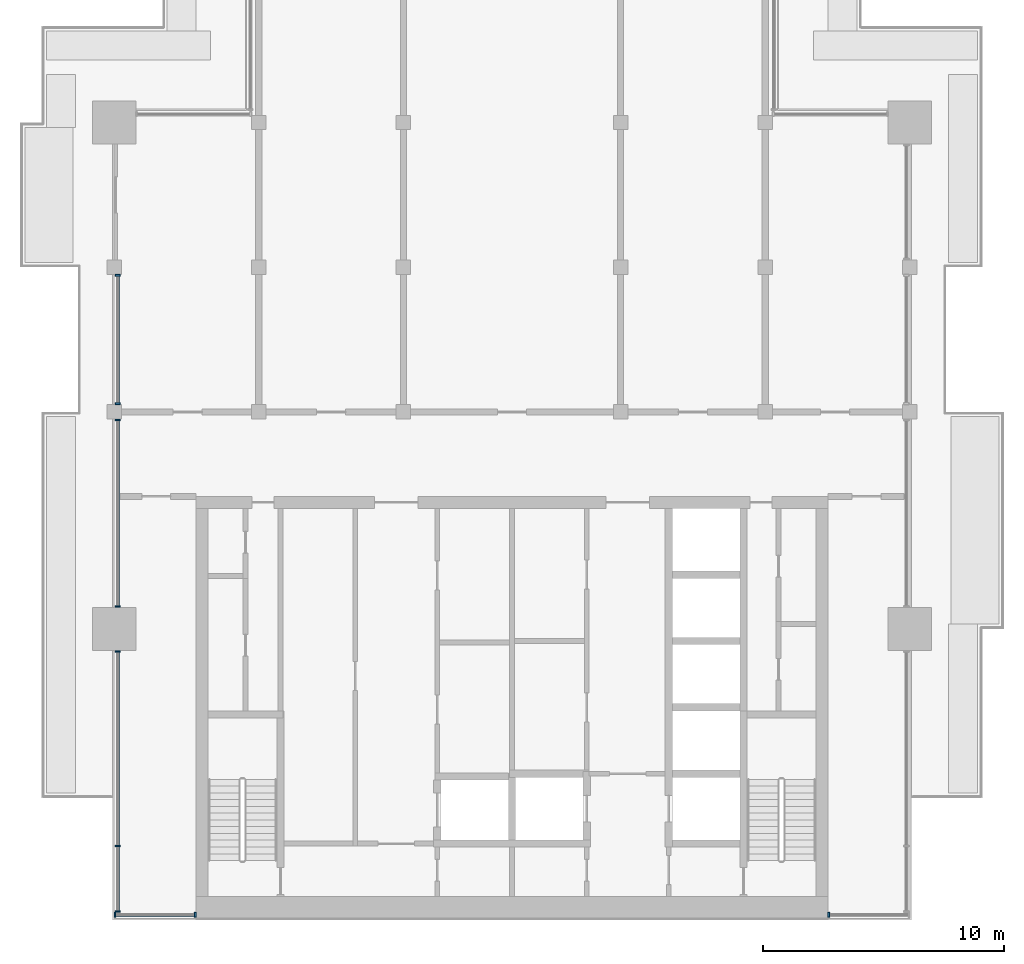
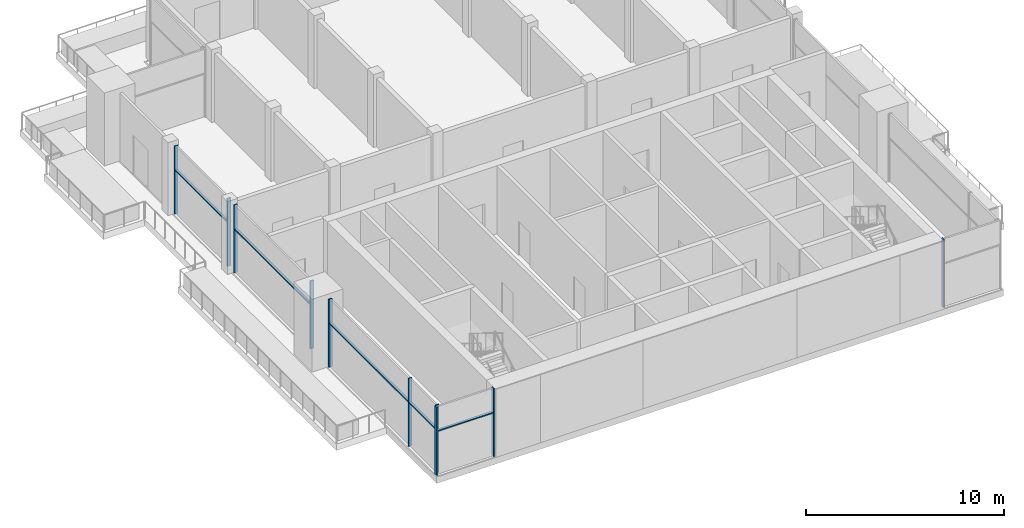
# One storey, part 2 of 9: 15 members, 5 elements without a shape of their own.
"""IFC4 building model written with IfcOpenShell, lengths in metres."""

from ifc_helpers import new_model, si_unit, direction, frame, origin, origin_2d, place, context, subcontext, project, spatial, rectangle, extrude, material, material_profile, profile_set, type_object, element, aggregate, save


model = new_model("IFC4")

# Units and contexts
model_context = context("Model", 3, precision=1e-05, world=origin(), true_north=direction((0.0, 1.0)))
body_context = subcontext(model_context, "Body", "Model", "MODEL_VIEW")
ifc_project = project(units=[si_unit("LENGTHUNIT", "METRE"), si_unit("AREAUNIT", "SQUARE_METRE"), si_unit("VOLUMEUNIT", "CUBIC_METRE"), si_unit("PLANEANGLEUNIT", "RADIAN"), si_unit("MASSUNIT", "GRAM", prefix="KILO")], contexts=[model_context])

# Site, building, storey
site_placement = place(None, origin())
site = spatial("IfcSite", under=ifc_project, at=site_placement, CompositionType="ELEMENT")
building_placement = place(site_placement, origin())
building = spatial("IfcBuilding", under=site, at=building_placement, Name="Finial Court Residences", CompositionType="ELEMENT")
storey_placement = place(building_placement, frame((0.0, 0.0, 298.699951171875)))
storey = spatial("IfcBuildingStorey", under=building, at=storey_placement, Name="L76", CompositionType="ELEMENT", Elevation=298.699951171875)

# Curtain wall, members
ifc_material = material(Name="Bronze anodised aluminium", Category="aluminium")
curtain_wall_type = type_object("IfcCurtainWallType", Name="Crown lantern glazing", PredefinedType="NOTDEFINED", material=ifc_material)
curtain_wall_1_placement = place(storey_placement, origin())
curtain_wall_1 = element("IfcCurtainWall", 1, at=curtain_wall_1_placement, inside=storey, type_object=curtain_wall_type, Name="E-L76-CW-S3", PredefinedType="NOTDEFINED")
ifc_material_profile_1 = material_profile(ifc_material, rectangle(XDim=0.199951171875, YDim=0.070068359375, at=origin_2d()), Name="CW6 mullion 70 x 200")
ifc_profile_set_1 = profile_set([ifc_material_profile_1], Name="Bronze anodised aluminium")
member_type_1 = type_object("IfcMemberType", Name="CW6 mullion 70 x 200", PredefinedType="MULLION", material=ifc_profile_set_1)
member_1_placement = place(storey_placement, frame((-16.465087890625, -25.35009765625, 0.0), z_axis=(0.0, 0.0, 1.0), x_axis=(0.0, 1.0, 0.0)))
member_1 = element("IfcMember", 2, at=member_1_placement, type_object=member_type_1, Name="CW6 mullion 1", PredefinedType="MULLION", context=body_context, shape_type="SweptSolid", body=[
    extrude(rectangle(XDim=0.199951171875, YDim=0.070068359375, at=origin_2d()), origin(), (0.0, 0.0, 1.0), 4.199951171875),
])
member_2_placement = place(storey_placement, frame((-13.135009765625, -25.35009765625, 0.0), z_axis=(0.0, 0.0, 1.0), x_axis=(0.0, 1.0, 0.0)))
member_2 = element("IfcMember", 3, at=member_2_placement, type_object=member_type_1, Name="CW6 mullion 2", PredefinedType="MULLION", context=body_context, shape_type="SweptSolid", body=[
    extrude(rectangle(XDim=0.199951171875, YDim=0.070068359375, at=origin_2d()), origin(), (0.0, 0.0, 1.0), 4.199951171875),
])

# Curtain wall, member
curtain_wall_2_placement = place(storey_placement, origin())
curtain_wall_2 = element("IfcCurtainWall", 4, at=curtain_wall_2_placement, inside=storey, type_object=curtain_wall_type, Name="E-L76-CW-S4", PredefinedType="NOTDEFINED")
member_3_placement = place(storey_placement, frame((13.135009765625, -25.35009765625, 0.0), z_axis=(0.0, 0.0, 1.0), x_axis=(0.0, 1.0, 0.0)))
member_3 = element("IfcMember", 5, at=member_3_placement, type_object=member_type_1, Name="CW6 mullion 1", PredefinedType="MULLION", context=body_context, shape_type="SweptSolid", body=[
    extrude(rectangle(XDim=0.199951171875, YDim=0.070068359375, at=origin_2d()), origin(), (0.0, 0.0, 1.0), 4.199951171875),
])
aggregate(curtain_wall_2, [member_3])

# Curtain wall, members
curtain_wall_3_placement = place(storey_placement, origin())
curtain_wall_3 = element("IfcCurtainWall", 6, at=curtain_wall_3_placement, inside=storey, type_object=curtain_wall_type, Name="E-L76-CW-W5c1", PredefinedType="NOTDEFINED")
member_4_placement = place(storey_placement, frame((-16.35009765625, -25.215087890625, 0.0), z_axis=(0.0, 0.0, 1.0), x_axis=(-1.0, 0.0, 0.0)))
member_4 = element("IfcMember", 7, at=member_4_placement, type_object=member_type_1, Name="CW6 mullion 1", PredefinedType="MULLION", context=body_context, shape_type="SweptSolid", body=[
    extrude(rectangle(XDim=0.199951171875, YDim=0.070068359375, at=origin_2d()), origin(), (0.0, 0.0, 1.0), 4.199951171875),
])
member_5_placement = place(storey_placement, frame((-16.35009765625, -22.5, 0.0), z_axis=(0.0, 0.0, 1.0), x_axis=(-1.0, 0.0, 0.0)))
member_5 = element("IfcMember", 8, at=member_5_placement, type_object=member_type_1, Name="CW6 mullion 2", PredefinedType="MULLION", context=body_context, shape_type="SweptSolid", body=[
    extrude(rectangle(XDim=0.199951171875, YDim=0.070068359375, at=origin_2d()), origin(), (0.0, 0.0, 1.0), 4.199951171875),
])
member_6_placement = place(storey_placement, frame((-16.35009765625, -14.43505859375, 0.0), z_axis=(0.0, 0.0, 1.0), x_axis=(-1.0, 0.0, 0.0)))
member_6 = element("IfcMember", 9, at=member_6_placement, type_object=member_type_1, Name="CW6 mullion 3", PredefinedType="MULLION", context=body_context, shape_type="SweptSolid", body=[
    extrude(rectangle(XDim=0.199951171875, YDim=0.070068359375, at=origin_2d()), origin(), (0.0, 0.0, 1.0), 4.199951171875),
])

curtain_wall_4_placement = place(storey_placement, origin())
curtain_wall_4 = element("IfcCurtainWall", 10, at=curtain_wall_4_placement, inside=storey, type_object=curtain_wall_type, Name="E-L76-CW-W5c2", PredefinedType="NOTDEFINED")
member_7_placement = place(storey_placement, frame((-16.35009765625, -12.56494140625, 0.0), z_axis=(0.0, 0.0, 1.0), x_axis=(-1.0, 0.0, 0.0)))
member_7 = element("IfcMember", 11, at=member_7_placement, type_object=member_type_1, Name="CW6 mullion 1", PredefinedType="MULLION", context=body_context, shape_type="SweptSolid", body=[
    extrude(rectangle(XDim=0.199951171875, YDim=0.070068359375, at=origin_2d()), origin(), (0.0, 0.0, 1.0), 4.199951171875),
])
member_8_placement = place(storey_placement, frame((-16.35009765625, -4.8349609375, 0.0), z_axis=(0.0, 0.0, 1.0), x_axis=(-1.0, 0.0, 0.0)))
member_8 = element("IfcMember", 12, at=member_8_placement, type_object=member_type_1, Name="CW6 mullion 2", PredefinedType="MULLION", context=body_context, shape_type="SweptSolid", body=[
    extrude(rectangle(XDim=0.199951171875, YDim=0.070068359375, at=origin_2d()), origin(), (0.0, 0.0, 1.0), 4.199951171875),
])

curtain_wall_5_placement = place(storey_placement, origin())
curtain_wall_5 = element("IfcCurtainWall", 13, at=curtain_wall_5_placement, inside=storey, type_object=curtain_wall_type, Name="E-L76-CW-W5c3", PredefinedType="NOTDEFINED")
member_9_placement = place(storey_placement, frame((-16.35009765625, -4.1650390625, 0.0), z_axis=(0.0, 0.0, 1.0), x_axis=(-1.0, 0.0, 0.0)))
member_9 = element("IfcMember", 14, at=member_9_placement, type_object=member_type_1, Name="CW6 mullion 1", PredefinedType="MULLION", context=body_context, shape_type="SweptSolid", body=[
    extrude(rectangle(XDim=0.199951171875, YDim=0.070068359375, at=origin_2d()), origin(), (0.0, 0.0, 1.0), 4.199951171875),
])
member_10_placement = place(storey_placement, frame((-16.35009765625, 1.1650390625, 0.0), z_axis=(0.0, 0.0, 1.0), x_axis=(-1.0, 0.0, 0.0)))
member_10 = element("IfcMember", 15, at=member_10_placement, type_object=member_type_1, Name="CW6 mullion 2", PredefinedType="MULLION", context=body_context, shape_type="SweptSolid", body=[
    extrude(rectangle(XDim=0.199951171875, YDim=0.070068359375, at=origin_2d()), origin(), (0.0, 0.0, 1.0), 4.199951171875),
])

# Member
ifc_material_profile_2 = material_profile(ifc_material, rectangle(XDim=0.14990234375, YDim=0.070068359375, at=origin_2d()), Name="CW6 transom 70 x 150")
ifc_profile_set_2 = profile_set([ifc_material_profile_2], Name="Bronze anodised aluminium")
member_type_2 = type_object("IfcMemberType", Name="CW6 transom 70 x 150", PredefinedType="USERDEFINED", material=ifc_profile_set_2)
member_11_placement = place(storey_placement, frame((-16.429931640625, -25.35009765625, 2.699951171875), z_axis=(1.0, 0.0, 0.0), x_axis=(0.0, 1.0, 0.0)))
member_11 = element("IfcMember", 16, at=member_11_placement, type_object=member_type_2, Name="CW6 transom 1.1", ObjectType="TRANSOM", PredefinedType="USERDEFINED", context=body_context, shape_type="SweptSolid", body=[
    extrude(rectangle(XDim=0.14990234375, YDim=0.070068359375, at=origin_2d()), origin(), (0.0, 0.0, 1.0), 3.260009765625),
])

aggregate(curtain_wall_1, [member_1, member_2, member_11])

member_12_placement = place(storey_placement, frame((-16.35009765625, -25.179931640625, 2.699951171875), z_axis=(0.0, 1.0, 0.0), x_axis=(-1.0, 0.0, 0.0)))
member_12 = element("IfcMember", 17, at=member_12_placement, type_object=member_type_2, Name="CW6 transom 1.1", ObjectType="TRANSOM", PredefinedType="USERDEFINED", context=body_context, shape_type="SweptSolid", body=[
    extrude(rectangle(XDim=0.14990234375, YDim=0.070068359375, at=origin_2d()), origin(), (0.0, 0.0, 1.0), 2.64501953125),
])

member_13_placement = place(storey_placement, frame((-16.35009765625, -22.465087890625, 2.699951171875), z_axis=(0.0, 1.0, 0.0), x_axis=(-1.0, 0.0, 0.0)))
member_13 = element("IfcMember", 18, at=member_13_placement, type_object=member_type_2, Name="CW6 transom 2.1", ObjectType="TRANSOM", PredefinedType="USERDEFINED", context=body_context, shape_type="SweptSolid", body=[
    extrude(rectangle(XDim=0.14990234375, YDim=0.070068359375, at=origin_2d()), origin(), (0.0, 0.0, 1.0), 7.9951171875),
])

aggregate(curtain_wall_3, [member_4, member_5, member_6, member_12, member_13])

member_14_placement = place(storey_placement, frame((-16.35009765625, -12.530029296875, 2.699951171875), z_axis=(0.0, 1.0, 0.0), x_axis=(-1.0, 0.0, 0.0)))
member_14 = element("IfcMember", 19, at=member_14_placement, type_object=member_type_2, Name="CW6 transom 1.1", ObjectType="TRANSOM", PredefinedType="USERDEFINED", context=body_context, shape_type="SweptSolid", body=[
    extrude(rectangle(XDim=0.14990234375, YDim=0.070068359375, at=origin_2d()), origin(), (0.0, 0.0, 1.0), 7.659912109375),
])

aggregate(curtain_wall_4, [member_7, member_8, member_14])

member_15_placement = place(storey_placement, frame((-16.35009765625, -4.1298828125, 2.699951171875), z_axis=(0.0, 1.0, 0.0), x_axis=(-1.0, 0.0, 0.0)))
member_15 = element("IfcMember", 20, at=member_15_placement, type_object=member_type_2, Name="CW6 transom 1.1", ObjectType="TRANSOM", PredefinedType="USERDEFINED", context=body_context, shape_type="SweptSolid", body=[
    extrude(rectangle(XDim=0.14990234375, YDim=0.070068359375, at=origin_2d()), origin(), (0.0, 0.0, 1.0), 5.259765625),
])

aggregate(curtain_wall_5, [member_9, member_10, member_15])

save(model, "model.ifc")
